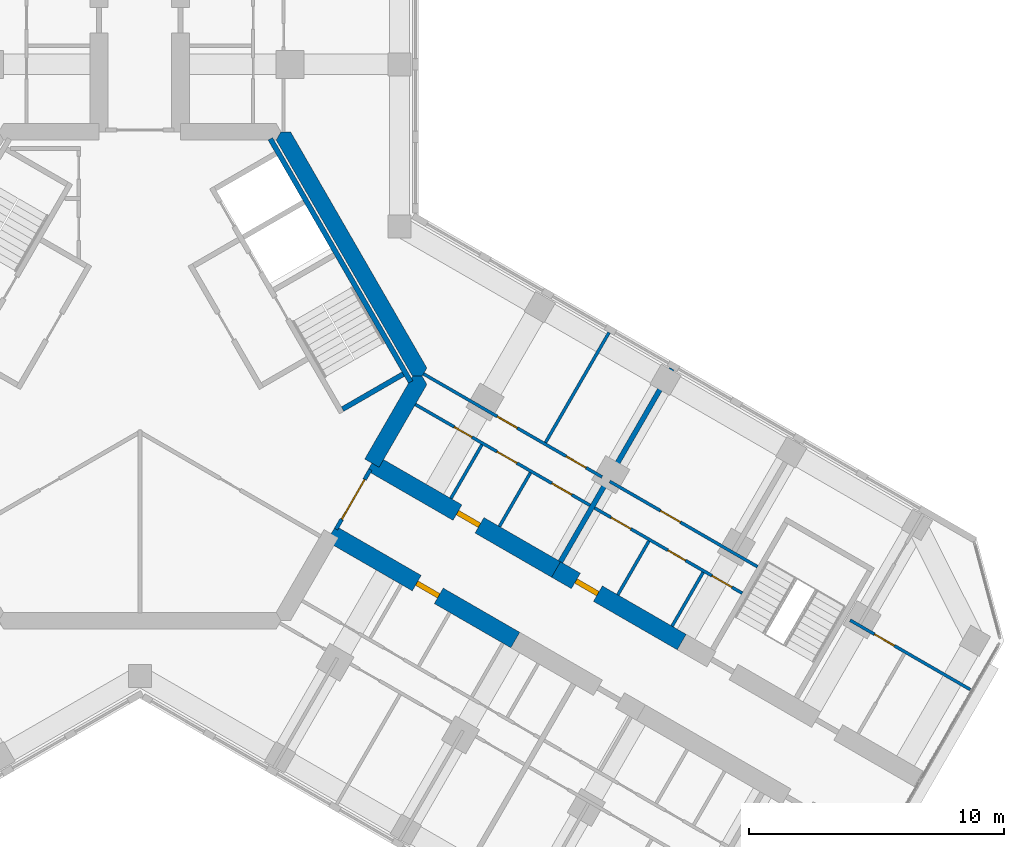
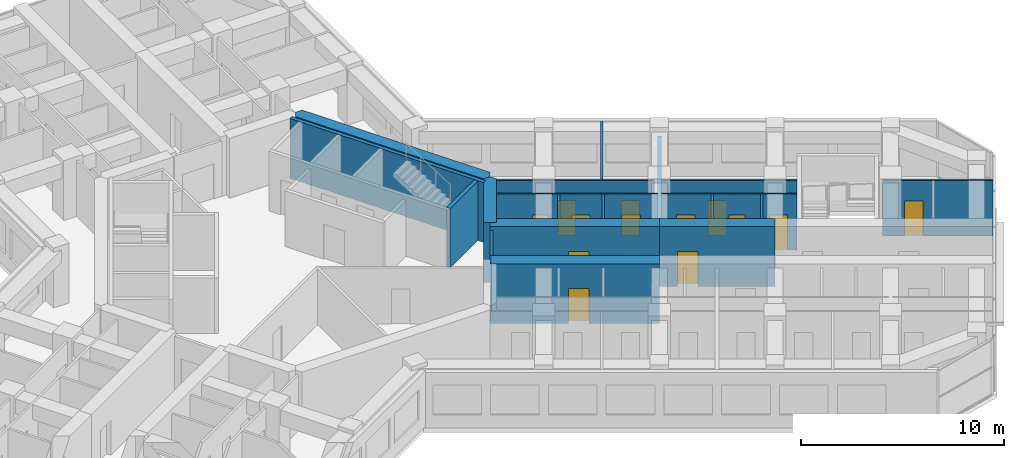
# One storey, part 12 of 16: 19 walls, 14 doors, 14 openings.
"""IFC4 building model written with IfcOpenShell, lengths in metres."""

from ifc_helpers import new_model, si_unit, direction, frame, frame_2d, origin, place, context, subcontext, project, spatial, polyline, rectangle, outline, extrude, material, layer, layer_set, type_object, element, fill, save


model = new_model("IFC4")

# Units and contexts
model_context = context("Model", 3, precision=1e-05, world=origin(), true_north=direction((0.0, 1.0)))
body_context = subcontext(model_context, "Body", "Model", "MODEL_VIEW")
ifc_project = project(units=[si_unit("LENGTHUNIT", "METRE"), si_unit("AREAUNIT", "SQUARE_METRE"), si_unit("VOLUMEUNIT", "CUBIC_METRE"), si_unit("PLANEANGLEUNIT", "RADIAN"), si_unit("MASSUNIT", "GRAM", prefix="KILO")], contexts=[model_context])

# Site, building, storey
site_placement = place(None, origin())
site = spatial("IfcSite", under=ifc_project, at=site_placement, CompositionType="ELEMENT")
building_placement = place(site_placement, origin())
building = spatial("IfcBuilding", under=site, at=building_placement, Name="Kosmar Iwan School Tower", CompositionType="ELEMENT")
storey_placement = place(building_placement, frame((0.0, 0.0, 211.800048828125)))
storey = spatial("IfcBuildingStorey", under=building, at=storey_placement, Name="L53", CompositionType="ELEMENT", Elevation=211.800048828125)

# Walls
ifc_material_1 = material(Name="Concrete C50/60", Category="concrete")
ifc_layer_1 = layer(ifc_material_1, 0.64990234375)
ifc_layer_set_1 = layer_set([ifc_layer_1], Name="Core wall 650")
wall_type_1 = type_object("IfcWallType", Name="Core wall 650", PredefinedType="SHEAR", material=ifc_layer_set_1)
wall_1_placement = place(storey_placement, origin())
element("IfcWall", 1, at=wall_1_placement, inside=storey, type_object=wall_type_1, Name="Core wall F030", PredefinedType="SHEAR", context=body_context, shape_type="SweptSolid", body=[
    extrude(outline(polyline([(10.7099609375, 0.0), (11.085205078125, 0.0), (11.272705078125, 0.324951171875), (5.917724609375, 9.60009765625), (5.54248046875, 9.60009765625), (5.35498046875, 9.27490234375), (10.7099609375, 0.0)])), origin(), (0.0, 0.0, 1.0), 3.599853515625),
])
wall_2_placement = place(storey_placement, origin())
element("IfcWall", 2, at=wall_2_placement, inside=storey, type_object=wall_type_1, Name="Core wall F330b", PredefinedType="SHEAR", context=body_context, shape_type="SweptSolid", body=[
    extrude(outline(polyline([(9.395263671875, -3.576904296875), (11.272705078125, -0.324951171875), (11.085205078125, 0.0), (10.7099609375, 0.0), (8.832275390625, -3.251953125), (9.395263671875, -3.576904296875)])), origin(), (0.0, 0.0, 1.0), 3.599853515625),
])

# Wall, opening, door
ifc_material_2 = material(Name="Concrete C50/60", Category="concrete")
ifc_layer_2 = layer(ifc_material_2, 0.699951171875)
ifc_layer_set_2 = layer_set([ifc_layer_2], Name="Corridor buttress wall 700")
wall_type_2 = type_object("IfcWallType", Name="Corridor buttress wall 700", PredefinedType="SHEAR", material=ifc_layer_set_2)
wall_3_placement = place(storey_placement, frame((9.11376953125, -3.414306640625, 0.0), z_axis=(0.0, 0.0, 1.0), x_axis=(0.866026859388, -0.499997478812, 0.0)))
wall_3 = element("IfcWall", 3, at=wall_3_placement, inside=storey, type_object=wall_type_2, Name="Corridor wall CL", PredefinedType="SHEAR", context=body_context, shape_type="SweptSolid", body=[
    extrude(rectangle(XDim=8.35009765625, YDim=0.699951171875, at=frame_2d((4.175048828125, 0.0))), origin(), (0.0, 0.0, 1.0), 3.599853515625),
])
opening_1_placement = place(wall_3_placement, frame((3.8798828125, 0.0, 0.0)))
opening_1 = element("IfcOpeningElement", 4, at=opening_1_placement, cuts=wall_3, Name="Opening D1", PredefinedType="OPENING", context=body_context, shape_type="SweptSolid", body=[
    extrude(rectangle(XDim=1.0, YDim=2.10009765625, at=frame_2d((0.5, 1.050048828125))), frame((0.0, 0.362060546875, 0.0), z_axis=(0.0, -1.0, 0.0), x_axis=(1.0, 0.0, 0.0)), (0.0, 0.0, 1.0), 0.723876953125),
])
ifc_material_3 = material(Name="Timber fire door in steel frame", Category="steel")
door_type_1 = type_object("IfcDoorType", Name="Flat entrance door 1000x2100", OperationType="SINGLE_SWING_LEFT", PredefinedType="DOOR", material=ifc_material_3)
door_1_placement = place(opening_1_placement, origin())
door_1 = element("IfcDoor", 5, at=door_1_placement, inside=storey, type_object=door_type_1, Name="Flat L53-CL1 entrance door", OperationType="SINGLE_SWING_LEFT", OverallHeight=2.10009765625, OverallWidth=1.0, PredefinedType="DOOR", context=body_context, shape_type="SweptSolid", body=[
    extrude(rectangle(XDim=1.0, YDim=2.10009765625, at=frame_2d((0.5, 1.050048828125))), frame((0.0, 0.10009765625, 0.0), z_axis=(0.0, -1.0, 0.0), x_axis=(1.0, 0.0, 0.0)), (0.0, 0.0, 1.0), 0.199951171875),
])
fill(opening_1, door_1)

wall_4_placement = place(storey_placement, frame((16.34521484375, -7.58935546875, 0.0), z_axis=(0.0, 0.0, 1.0), x_axis=(0.866015111908, -0.50001782563, 0.0)))
wall_4 = element("IfcWall", 6, at=wall_4_placement, inside=storey, type_object=wall_type_2, Name="Corridor wall CL bay 2", PredefinedType="SHEAR", context=body_context, shape_type="SweptSolid", body=[
    extrude(rectangle(XDim=5.699951171875, YDim=0.699951171875, at=frame_2d((2.85009765625, 0.0))), origin(), (0.0, 0.0, 1.0), 3.599853515625),
])
opening_2_placement = place(wall_4_placement, frame((0.89990234375, 0.0, 0.0)))
opening_2 = element("IfcOpeningElement", 7, at=opening_2_placement, cuts=wall_4, Name="Opening D1", PredefinedType="OPENING", context=body_context, shape_type="SweptSolid", body=[
    extrude(rectangle(XDim=1.0, YDim=2.10009765625, at=frame_2d((0.5, 1.050048828125))), frame((0.0, 0.362060546875, 0.0), z_axis=(0.0, -1.0, 0.0), x_axis=(1.0, 0.0, 0.0)), (0.0, 0.0, 1.0), 0.723876953125),
])
door_2_placement = place(opening_2_placement, origin())
door_2 = element("IfcDoor", 8, at=door_2_placement, inside=storey, type_object=door_type_1, Name="Flat L53-CL2 entrance door", OperationType="SINGLE_SWING_RIGHT", OverallHeight=2.10009765625, OverallWidth=1.0, PredefinedType="DOOR", context=body_context, shape_type="SweptSolid", body=[
    extrude(rectangle(XDim=1.0, YDim=2.10009765625, at=frame_2d((0.5, 1.050048828125))), frame((0.0, 0.10009765625, 0.0), z_axis=(0.0, -1.0, 0.0), x_axis=(1.0, 0.0, 0.0)), (0.0, 0.0, 1.0), 0.199951171875),
])
fill(opening_2, door_2)

wall_5_placement = place(storey_placement, frame((7.513916015625, -6.185546875, 0.0), z_axis=(0.0, 0.0, 1.0), x_axis=(0.866019549707, -0.500010139422, 0.0)))
wall_5 = element("IfcWall", 9, at=wall_5_placement, inside=storey, type_object=wall_type_2, Name="Corridor wall CR", PredefinedType="SHEAR", context=body_context, shape_type="SweptSolid", body=[
    extrude(rectangle(XDim=8.349853515625, YDim=0.699951171875, at=frame_2d((4.1748046875, 0.0))), origin(), (0.0, 0.0, 1.0), 3.599853515625),
])
opening_3_placement = place(wall_5_placement, frame((3.8798828125, 0.0, 0.0)))
opening_3 = element("IfcOpeningElement", 10, at=opening_3_placement, cuts=wall_5, Name="Opening D1", PredefinedType="OPENING", context=body_context, shape_type="SweptSolid", body=[
    extrude(rectangle(XDim=1.0, YDim=2.10009765625, at=frame_2d((0.5, 1.050048828125))), frame((0.0, 0.362060546875, 0.0), z_axis=(0.0, -1.0, 0.0), x_axis=(1.0, 0.0, 0.0)), (0.0, 0.0, 1.0), 0.723876953125),
])
door_3_placement = place(opening_3_placement, origin())
door_3 = element("IfcDoor", 11, at=door_3_placement, inside=storey, type_object=door_type_1, Name="Flat L53-CR1 entrance door", OperationType="SINGLE_SWING_RIGHT", OverallHeight=2.10009765625, OverallWidth=1.0, PredefinedType="DOOR", context=body_context, shape_type="SweptSolid", body=[
    extrude(rectangle(XDim=1.0, YDim=2.10009765625, at=frame_2d((0.5, 1.050048828125))), frame((0.0, 0.10009765625, 0.0), z_axis=(0.0, -1.0, 0.0), x_axis=(1.0, 0.0, 0.0)), (0.0, 0.0, 1.0), 0.199951171875),
])
fill(opening_3, door_3)

ifc_material_4 = material(Name="Steel framed glazed screen", Category="steel")
ifc_layer_3 = layer(ifc_material_4, 0.14990234375)
ifc_layer_set_3 = layer_set([ifc_layer_3], Name="Corridor screen wall 150")
wall_type_3 = type_object("IfcWallType", Name="Corridor screen wall 150", PredefinedType="PARTITIONING", material=ifc_layer_set_3)
wall_6_placement = place(storey_placement, frame((7.703857421875, -6.006591796875, 0.0), z_axis=(0.0, 0.0, 1.0), x_axis=(0.499980770555, 0.866036505625, 0.0)))
wall_6 = element("IfcWall", 12, at=wall_6_placement, inside=storey, type_object=wall_type_3, Name="Corridor screen C L53", PredefinedType="PARTITIONING", context=body_context, shape_type="SweptSolid", body=[
    extrude(rectangle(XDim=2.69970703125, YDim=0.14990234375, at=frame_2d((1.349853515625, 0.0))), origin(), (0.0, 0.0, 1.0), 3.349853515625),
])
opening_4_placement = place(wall_6_placement, frame((0.449951171875, 0.0, 0.0)))
opening_4 = element("IfcOpeningElement", 13, at=opening_4_placement, cuts=wall_6, Name="Opening D9", PredefinedType="OPENING", context=body_context, shape_type="SweptSolid", body=[
    extrude(rectangle(XDim=1.800048828125, YDim=2.10009765625, at=frame_2d((0.89990234375, 1.050048828125))), frame((0.0, 0.0869140625, 0.0), z_axis=(0.0, -1.0, 0.0), x_axis=(1.0, 0.0, 0.0)), (0.0, 0.0, 1.0), 0.173828125),
])
ifc_material_5 = material(Name="Steel framed glazed smoke door", Category="steel")
door_type_2 = type_object("IfcDoorType", Name="Corridor smoke door pair 1800x2100", OperationType="DOUBLE_DOOR_DOUBLE_SWING", PredefinedType="DOOR", material=ifc_material_5)
door_4_placement = place(opening_4_placement, origin())
door_4 = element("IfcDoor", 14, at=door_4_placement, inside=storey, type_object=door_type_2, Name="Corridor doors C L53", OperationType="DOUBLE_DOOR_DOUBLE_SWING", OverallHeight=2.10009765625, OverallWidth=1.800048828125, PredefinedType="DOOR", context=body_context, shape_type="SweptSolid", body=[
    extrude(rectangle(XDim=1.800048828125, YDim=2.10009765625, at=frame_2d((0.89990234375, 1.050048828125))), frame((0.0, 0.02490234375, 0.0), z_axis=(0.0, -1.0, 0.0), x_axis=(1.0, 0.0, 0.0)), (0.0, 0.0, 1.0), 0.050048828125),
])
fill(opening_4, door_4)

# Wall, openings, doors
ifc_material_6 = material(Name="Gypsum board on steel studs", Category="steel")
ifc_layer_4 = layer(ifc_material_6, 0.1201171875)
ifc_layer_set_4 = layer_set([ifc_layer_4], Name="Dwelling partition 120")
wall_type_4 = type_object("IfcWallType", Name="Dwelling partition 120", PredefinedType="PARTITIONING", material=ifc_layer_set_4)
wall_7_placement = place(storey_placement, frame((10.8203125, -1.108642578125, 0.0), z_axis=(0.0, 0.0, 1.0), x_axis=(0.866018344059, -0.500012227604, 0.0)))
wall_7 = element("IfcWall", 15, at=wall_7_placement, inside=storey, type_object=wall_type_4, Name="Partition L53-CL1-W1", PredefinedType="PARTITIONING", context=body_context, shape_type="SweptSolid", body=[
    extrude(rectangle(XDim=7.925048828125, YDim=0.1201171875, at=frame_2d((3.96240234375, 0.0))), origin(), (0.0, 0.0, 1.0), 3.349853515625),
])
opening_5_placement = place(wall_7_placement, frame((1.764892578125, 0.0, 0.0)))
opening_5 = element("IfcOpeningElement", 16, at=opening_5_placement, cuts=wall_7, Name="Opening D3", PredefinedType="OPENING", context=body_context, shape_type="SweptSolid", body=[
    extrude(rectangle(XDim=0.800048828125, YDim=2.10009765625, at=frame_2d((0.39990234375, 1.050048828125))), frame((0.0, 0.072021484375, 0.0), z_axis=(0.0, -1.0, 0.0), x_axis=(1.0, 0.0, 0.0)), (0.0, 0.0, 1.0), 0.14404296875),
])
opening_6_placement = place(wall_7_placement, frame((3.705078125, 0.0, 0.0)))
opening_6 = element("IfcOpeningElement", 17, at=opening_6_placement, cuts=wall_7, Name="Opening D2", PredefinedType="OPENING", context=body_context, shape_type="SweptSolid", body=[
    extrude(rectangle(XDim=0.89990234375, YDim=2.10009765625, at=frame_2d((0.449951171875, 1.050048828125))), frame((0.0, 0.072021484375, 0.0), z_axis=(0.0, -1.0, 0.0), x_axis=(1.0, 0.0, 0.0)), (0.0, 0.0, 1.0), 0.14404296875),
])
opening_7_placement = place(wall_7_placement, frame((6.18994140625, 0.0, 0.0)))
opening_7 = element("IfcOpeningElement", 18, at=opening_7_placement, cuts=wall_7, Name="Opening D2", PredefinedType="OPENING", context=body_context, shape_type="SweptSolid", body=[
    extrude(rectangle(XDim=0.89990234375, YDim=2.10009765625, at=frame_2d((0.449951171875, 1.050048828125))), frame((0.0, 0.072021484375, 0.0), z_axis=(0.0, -1.0, 0.0), x_axis=(1.0, 0.0, 0.0)), (0.0, 0.0, 1.0), 0.14404296875),
])
ifc_material_7 = material(Name="Timber door in timber frame", Category="wood")
door_type_3 = type_object("IfcDoorType", Name="Internal door 900x2100", OperationType="SINGLE_SWING_LEFT", PredefinedType="DOOR", material=ifc_material_7)
door_5_placement = place(opening_6_placement, origin())
door_5 = element("IfcDoor", 19, at=door_5_placement, inside=storey, type_object=door_type_3, Name="Entrance hall door L53-CL1-S2", OperationType="SINGLE_SWING_RIGHT", OverallHeight=2.10009765625, OverallWidth=0.89990234375, PredefinedType="DOOR", context=body_context, shape_type="SweptSolid", body=[
    extrude(rectangle(XDim=0.89990234375, YDim=2.10009765625, at=frame_2d((0.449951171875, 1.050048828125))), frame((0.0, 0.02490234375, 0.0), z_axis=(0.0, -1.0, 0.0), x_axis=(1.0, 0.0, 0.0)), (0.0, 0.0, 1.0), 0.050048828125),
])
fill(opening_6, door_5)
door_6_placement = place(opening_7_placement, origin())
door_6 = element("IfcDoor", 20, at=door_6_placement, inside=storey, type_object=door_type_3, Name="Pantry door L53-CL1-S3", OperationType="SINGLE_SWING_RIGHT", OverallHeight=2.10009765625, OverallWidth=0.89990234375, PredefinedType="DOOR", context=body_context, shape_type="SweptSolid", body=[
    extrude(rectangle(XDim=0.89990234375, YDim=2.10009765625, at=frame_2d((0.449951171875, 1.050048828125))), frame((0.0, 0.02490234375, 0.0), z_axis=(0.0, -1.0, 0.0), x_axis=(1.0, 0.0, 0.0)), (0.0, 0.0, 1.0), 0.050048828125),
])
fill(opening_7, door_6)
ifc_material_8 = material(Name="Timber door in timber frame", Category="wood")
door_type_4 = type_object("IfcDoorType", Name="Sanitary room door 800x2100", OperationType="SINGLE_SWING_LEFT", PredefinedType="DOOR", material=ifc_material_8)
door_7_placement = place(opening_5_placement, origin())
door_7 = element("IfcDoor", 21, at=door_7_placement, inside=storey, type_object=door_type_4, Name="Bathroom door L53-CL1-S1", OperationType="SINGLE_SWING_LEFT", OverallHeight=2.10009765625, OverallWidth=0.800048828125, PredefinedType="DOOR", context=body_context, shape_type="SweptSolid", body=[
    extrude(rectangle(XDim=0.800048828125, YDim=2.10009765625, at=frame_2d((0.39990234375, 1.050048828125))), frame((0.0, 0.02490234375, 0.0), z_axis=(0.0, -1.0, 0.0), x_axis=(1.0, 0.0, 0.0)), (0.0, 0.0, 1.0), 0.050048828125),
])
fill(opening_5, door_7)

wall_8_placement = place(storey_placement, frame((11.138916015625, 0.093017578125, 0.0), z_axis=(0.0, 0.0, 1.0), x_axis=(0.866017937352, -0.500012932018, 0.0)))
wall_8 = element("IfcWall", 22, at=wall_8_placement, inside=storey, type_object=wall_type_4, Name="Partition L53-CL1-W2", PredefinedType="PARTITIONING", context=body_context, shape_type="SweptSolid", body=[
    extrude(rectangle(XDim=8.099853515625, YDim=0.1201171875, at=frame_2d((4.0498046875, 0.0))), origin(), (0.0, 0.0, 1.0), 3.349853515625),
])
opening_8_placement = place(wall_8_placement, frame((3.35009765625, 0.0, 0.0)))
opening_8 = element("IfcOpeningElement", 23, at=opening_8_placement, cuts=wall_8, Name="Opening D2", PredefinedType="OPENING", context=body_context, shape_type="SweptSolid", body=[
    extrude(rectangle(XDim=0.89990234375, YDim=2.10009765625, at=frame_2d((0.449951171875, 1.050048828125))), frame((0.0, 0.072021484375, 0.0), z_axis=(0.0, -1.0, 0.0), x_axis=(1.0, 0.0, 0.0)), (0.0, 0.0, 1.0), 0.14404296875),
])
opening_9_placement = place(wall_8_placement, frame((6.47509765625, 0.0, 0.0)))
opening_9 = element("IfcOpeningElement", 24, at=opening_9_placement, cuts=wall_8, Name="Opening D2", PredefinedType="OPENING", context=body_context, shape_type="SweptSolid", body=[
    extrude(rectangle(XDim=0.89990234375, YDim=2.10009765625, at=frame_2d((0.449951171875, 1.050048828125))), frame((0.0, 0.072021484375, 0.0), z_axis=(0.0, -1.0, 0.0), x_axis=(1.0, 0.0, 0.0)), (0.0, 0.0, 1.0), 0.14404296875),
])
door_8_placement = place(opening_8_placement, origin())
door_8 = element("IfcDoor", 25, at=door_8_placement, inside=storey, type_object=door_type_3, Name="Living room and kitchen door L53-CL1-F1", OperationType="SINGLE_SWING_RIGHT", OverallHeight=2.10009765625, OverallWidth=0.89990234375, PredefinedType="DOOR", context=body_context, shape_type="SweptSolid", body=[
    extrude(rectangle(XDim=0.89990234375, YDim=2.10009765625, at=frame_2d((0.449951171875, 1.050048828125))), frame((0.0, 0.02490234375, 0.0), z_axis=(0.0, -1.0, 0.0), x_axis=(1.0, 0.0, 0.0)), (0.0, 0.0, 1.0), 0.050048828125),
])
fill(opening_8, door_8)
door_9_placement = place(opening_9_placement, origin())
door_9 = element("IfcDoor", 26, at=door_9_placement, inside=storey, type_object=door_type_3, Name="Bedroom 1 door L53-CL1-F2", OperationType="SINGLE_SWING_RIGHT", OverallHeight=2.10009765625, OverallWidth=0.89990234375, PredefinedType="DOOR", context=body_context, shape_type="SweptSolid", body=[
    extrude(rectangle(XDim=0.89990234375, YDim=2.10009765625, at=frame_2d((0.449951171875, 1.050048828125))), frame((0.0, 0.02490234375, 0.0), z_axis=(0.0, -1.0, 0.0), x_axis=(1.0, 0.0, 0.0)), (0.0, 0.0, 1.0), 0.050048828125),
])
fill(opening_9, door_9)

# Walls
wall_9_placement = place(storey_placement, frame((15.931884765625, -2.60498046875, 0.0), z_axis=(0.0, 0.0, 1.0), x_axis=(0.500011847778, 0.866018563358, 0.0)))
element("IfcWall", 27, at=wall_9_placement, inside=storey, type_object=wall_type_4, Name="Partition L53-CL1-X1", PredefinedType="PARTITIONING", context=body_context, shape_type="SweptSolid", body=[
    extrude(rectangle(XDim=4.990234375, YDim=0.1201171875, at=frame_2d((2.4951171875, 0.0))), origin(), (0.0, 0.0, 1.0), 3.349853515625),
])
wall_10_placement = place(storey_placement, frame((12.216064453125, -4.80126953125, 0.0), z_axis=(0.0, 0.0, 1.0), x_axis=(0.500002508028, 0.866023955769, 0.0)))
element("IfcWall", 28, at=wall_10_placement, inside=storey, type_object=wall_type_4, Name="Partition L53-CL1-Y1", PredefinedType="PARTITIONING", context=body_context, shape_type="SweptSolid", body=[
    extrude(rectangle(XDim=2.43994140625, YDim=0.1201171875, at=frame_2d((1.219970703125, 0.0))), origin(), (0.0, 0.0, 1.0), 3.349853515625),
])
wall_11_placement = place(storey_placement, frame((14.121337890625, -5.9013671875, 0.0), z_axis=(0.0, 0.0, 1.0), x_axis=(0.499959183527, 0.866048967903, 0.0)))
element("IfcWall", 29, at=wall_11_placement, inside=storey, type_object=wall_type_4, Name="Partition L53-CL1-Y2", PredefinedType="PARTITIONING", context=body_context, shape_type="SweptSolid", body=[
    extrude(rectangle(XDim=2.440185546875, YDim=0.1201171875, at=frame_2d((1.22021484375, 0.0))), origin(), (0.0, 0.0, 1.0), 3.349853515625),
])

# Wall, openings, doors
wall_12_placement = place(storey_placement, frame((17.856689453125, -5.171142578125, 0.0), z_axis=(0.0, 0.0, 1.0), x_axis=(0.866023571113, -0.500003174267, 0.0)))
wall_12 = element("IfcWall", 30, at=wall_12_placement, inside=storey, type_object=wall_type_4, Name="Partition L53-CL2-W1", PredefinedType="PARTITIONING", context=body_context, shape_type="SweptSolid", body=[
    extrude(rectangle(XDim=6.7001953125, YDim=0.1201171875, at=frame_2d((3.35009765625, 0.0))), origin(), (0.0, 0.0, 1.0), 3.349853515625),
])
opening_10_placement = place(wall_12_placement, frame((0.75, 0.0, 0.0)))
opening_10 = element("IfcOpeningElement", 31, at=opening_10_placement, cuts=wall_12, Name="Opening D2", PredefinedType="OPENING", context=body_context, shape_type="SweptSolid", body=[
    extrude(rectangle(XDim=0.89990234375, YDim=2.10009765625, at=frame_2d((0.449951171875, 1.050048828125))), frame((0.0, 0.072021484375, 0.0), z_axis=(0.0, -1.0, 0.0), x_axis=(1.0, 0.0, 0.0)), (0.0, 0.0, 1.0), 0.14404296875),
])
opening_11_placement = place(wall_12_placement, frame((3.330078125, 0.0, 0.0)))
opening_11 = element("IfcOpeningElement", 32, at=opening_11_placement, cuts=wall_12, Name="Opening D3", PredefinedType="OPENING", context=body_context, shape_type="SweptSolid", body=[
    extrude(rectangle(XDim=0.800048828125, YDim=2.10009765625, at=frame_2d((0.39990234375, 1.050048828125))), frame((0.0, 0.072021484375, 0.0), z_axis=(0.0, -1.0, 0.0), x_axis=(1.0, 0.0, 0.0)), (0.0, 0.0, 1.0), 0.14404296875),
])
opening_12_placement = place(wall_12_placement, frame((5.330078125, 0.0, 0.0)))
opening_12 = element("IfcOpeningElement", 33, at=opening_12_placement, cuts=wall_12, Name="Opening D2", PredefinedType="OPENING", context=body_context, shape_type="SweptSolid", body=[
    extrude(rectangle(XDim=0.89990234375, YDim=2.10009765625, at=frame_2d((0.449951171875, 1.050048828125))), frame((0.0, 0.072021484375, 0.0), z_axis=(0.0, -1.0, 0.0), x_axis=(1.0, 0.0, 0.0)), (0.0, 0.0, 1.0), 0.14404296875),
])
door_10_placement = place(opening_10_placement, origin())
door_10 = element("IfcDoor", 34, at=door_10_placement, inside=storey, type_object=door_type_3, Name="Entrance hall door L53-CL2-S1", OperationType="SINGLE_SWING_LEFT", OverallHeight=2.10009765625, OverallWidth=0.89990234375, PredefinedType="DOOR", context=body_context, shape_type="SweptSolid", body=[
    extrude(rectangle(XDim=0.89990234375, YDim=2.10009765625, at=frame_2d((0.449951171875, 1.050048828125))), frame((0.0, 0.02490234375, 0.0), z_axis=(0.0, -1.0, 0.0), x_axis=(1.0, 0.0, 0.0)), (0.0, 0.0, 1.0), 0.050048828125),
])
fill(opening_10, door_10)
door_11_placement = place(opening_12_placement, frame((0.89990234375, 0.0, 0.0), z_axis=(0.0, 0.0, 1.0), x_axis=(-1.0, 0.0, 0.0)))
door_11 = element("IfcDoor", 35, at=door_11_placement, inside=storey, type_object=door_type_3, Name="Pantry door L53-CL2-S3", OperationType="SINGLE_SWING_LEFT", OverallHeight=2.10009765625, OverallWidth=0.89990234375, PredefinedType="DOOR", context=body_context, shape_type="SweptSolid", body=[
    extrude(rectangle(XDim=0.89990234375, YDim=2.10009765625, at=frame_2d((0.449951171875, 1.050048828125))), frame((0.0, 0.02490234375, 0.0), z_axis=(0.0, -1.0, 0.0), x_axis=(1.0, 0.0, 0.0)), (0.0, 0.0, 1.0), 0.050048828125),
])
fill(opening_12, door_11)
door_12_placement = place(opening_11_placement, origin())
door_12 = element("IfcDoor", 36, at=door_12_placement, inside=storey, type_object=door_type_4, Name="Bathroom door L53-CL2-S2", OperationType="SINGLE_SWING_RIGHT", OverallHeight=2.10009765625, OverallWidth=0.800048828125, PredefinedType="DOOR", context=body_context, shape_type="SweptSolid", body=[
    extrude(rectangle(XDim=0.800048828125, YDim=2.10009765625, at=frame_2d((0.39990234375, 1.050048828125))), frame((0.0, 0.02490234375, 0.0), z_axis=(0.0, -1.0, 0.0), x_axis=(1.0, 0.0, 0.0)), (0.0, 0.0, 1.0), 0.050048828125),
])
fill(opening_11, door_12)

# Wall, opening, door
wall_13_placement = place(storey_placement, frame((18.456787109375, -4.1318359375, 0.0), z_axis=(0.0, 0.0, 1.0), x_axis=(0.866014461049, -0.500018952895, 0.0)))
wall_13 = element("IfcWall", 37, at=wall_13_placement, inside=storey, type_object=wall_type_4, Name="Partition L53-CL2-W2", PredefinedType="PARTITIONING", context=body_context, shape_type="SweptSolid", body=[
    extrude(rectangle(XDim=6.699951171875, YDim=0.1201171875, at=frame_2d((3.35009765625, 0.0))), origin(), (0.0, 0.0, 1.0), 3.349853515625),
])
opening_13_placement = place(wall_13_placement, frame((2.300048828125, 0.0, 0.0)))
opening_13 = element("IfcOpeningElement", 38, at=opening_13_placement, cuts=wall_13, Name="Opening D2", PredefinedType="OPENING", context=body_context, shape_type="SweptSolid", body=[
    extrude(rectangle(XDim=0.89990234375, YDim=2.10009765625, at=frame_2d((0.449951171875, 1.050048828125))), frame((0.0, 0.072021484375, 0.0), z_axis=(0.0, -1.0, 0.0), x_axis=(1.0, 0.0, 0.0)), (0.0, 0.0, 1.0), 0.14404296875),
])
door_13_placement = place(opening_13_placement, origin())
door_13 = element("IfcDoor", 39, at=door_13_placement, inside=storey, type_object=door_type_3, Name="Studio living room and kitchen door L53-CL2-F1", OperationType="SINGLE_SWING_LEFT", OverallHeight=2.10009765625, OverallWidth=0.89990234375, PredefinedType="DOOR", context=body_context, shape_type="SweptSolid", body=[
    extrude(rectangle(XDim=0.89990234375, YDim=2.10009765625, at=frame_2d((0.449951171875, 1.050048828125))), frame((0.0, 0.02490234375, 0.0), z_axis=(0.0, -1.0, 0.0), x_axis=(1.0, 0.0, 0.0)), (0.0, 0.0, 1.0), 0.050048828125),
])
fill(opening_13, door_13)

# Walls
for number, where, z_axis, x_axis, name in (
    (40, (18.771728515625, -8.586181640625, 0.0), (0.0, 0.0, 1.0), (0.500077547548, 0.865980627057, 0.0), "Partition L53-CL2-Y1"),
    (41, (20.90234375, -9.816162109375, 0.0), (0.0, 0.0, 1.0), (0.500002508028, 0.866023955769, 0.0), "Partition L53-CL2-Y2"),
):
    element("IfcWall", number, at=place(storey_placement, frame(where, z_axis=z_axis, x_axis=x_axis)), inside=storey, type_object=wall_type_4, Name=name, PredefinedType="PARTITIONING", context=body_context, shape_type="SweptSolid", body=[
        extrude(rectangle(XDim=2.43994140625, YDim=0.1201171875, at=frame_2d((1.219970703125, 0.0))), origin(), (0.0, 0.0, 1.0), 3.349853515625),
    ])

# Wall, opening, door
wall_14_placement = place(storey_placement, frame((27.896484375, -9.58203125, 0.0), z_axis=(0.0, 0.0, 1.0), x_axis=(0.866035508231, -0.499982498177, 0.0)))
wall_14 = element("IfcWall", 42, at=wall_14_placement, inside=storey, type_object=wall_type_4, Name="Partition L53-CL3-TW", PredefinedType="PARTITIONING", context=body_context, shape_type="SweptSolid", body=[
    extrude(rectangle(XDim=5.445068359375, YDim=0.1201171875, at=frame_2d((2.72265625, 0.0))), origin(), (0.0, 0.0, 1.0), 3.349853515625),
])
opening_14_placement = place(wall_14_placement, frame((1.10009765625, 0.0, 0.0)))
opening_14 = element("IfcOpeningElement", 43, at=opening_14_placement, cuts=wall_14, Name="Opening D2", PredefinedType="OPENING", context=body_context, shape_type="SweptSolid", body=[
    extrude(rectangle(XDim=0.89990234375, YDim=2.10009765625, at=frame_2d((0.449951171875, 1.050048828125))), frame((0.0, 0.072021484375, 0.0), z_axis=(0.0, -1.0, 0.0), x_axis=(1.0, 0.0, 0.0)), (0.0, 0.0, 1.0), 0.14404296875),
])
door_14_placement = place(opening_14_placement, origin())
door_14 = element("IfcDoor", 44, at=door_14_placement, inside=storey, type_object=door_type_3, Name="Entrance hall door L53-CL3-T3", OperationType="SINGLE_SWING_LEFT", OverallHeight=2.10009765625, OverallWidth=0.89990234375, PredefinedType="DOOR", context=body_context, shape_type="SweptSolid", body=[
    extrude(rectangle(XDim=0.89990234375, YDim=2.10009765625, at=frame_2d((0.449951171875, 1.050048828125))), frame((0.0, 0.02490234375, 0.0), z_axis=(0.0, -1.0, 0.0), x_axis=(1.0, 0.0, 0.0)), (0.0, 0.0, 1.0), 0.050048828125),
])
fill(opening_14, door_14)

# Walls
ifc_material_9 = material(Name="Concrete C50/60", Category="concrete")
ifc_layer_5 = layer(ifc_material_9, 0.199951171875)
ifc_layer_set_5 = layer_set([ifc_layer_5], Name="Lift shaft wall 200")
wall_type_5 = type_object("IfcWallType", Name="Lift shaft wall 200", PredefinedType="SHEAR", material=ifc_layer_set_5)
wall_15_placement = place(storey_placement, frame((10.6376953125, -0.22509765625, 0.0), z_axis=(0.0, 0.0, 1.0), x_axis=(-0.49999650507, 0.866027421574, 0.0)))
element("IfcWall", 45, at=wall_15_placement, inside=storey, type_object=wall_type_5, Name="Lift and stair back wall AC", PredefinedType="SHEAR", context=body_context, shape_type="SweptSolid", body=[
    extrude(rectangle(XDim=11.02734375, YDim=0.199951171875, at=frame_2d((5.513671875, 0.0))), origin(), (0.0, 0.0, 1.0), 3.599853515625),
])
ifc_material_10 = material(Name="Concrete block masonry", Category="masonry")
ifc_layer_6 = layer(ifc_material_10, 0.199951171875)
ifc_layer_set_6 = layer_set([ifc_layer_6], Name="Party wall 200")
wall_type_6 = type_object("IfcWallType", Name="Party wall 200", PredefinedType="PARTITIONING", material=ifc_layer_set_6)
wall_16_placement = place(storey_placement, frame((16.520263671875, -7.286376953125, 0.0), z_axis=(0.0, 0.0, 1.0), x_axis=(0.499992152613, 0.866029934428, 0.0)))
element("IfcWall", 46, at=wall_16_placement, inside=storey, type_object=wall_type_6, Name="Partition L53-CL2-PW", PredefinedType="PARTITIONING", context=body_context, shape_type="SweptSolid", body=[
    extrude(rectangle(XDim=8.750244140625, YDim=0.199951171875, at=frame_2d((4.375, 0.0))), origin(), (0.0, 0.0, 1.0), 2.449951171875),
])
ifc_material_11 = material(Name="Concrete C50/60", Category="concrete")
ifc_layer_7 = layer(ifc_material_11, 0.199951171875)
ifc_layer_set_7 = layer_set([ifc_layer_7], Name="Stair enclosure wall 200")
wall_type_7 = type_object("IfcWallType", Name="Stair enclosure wall 200", PredefinedType="SHEAR", material=ifc_layer_set_7)
wall_17_placement = place(storey_placement, frame((7.962646484375, -1.291748046875, 0.0), z_axis=(0.0, 0.0, 1.0), x_axis=(0.866027397988, 0.499996545922, 0.0)))
element("IfcWall", 47, at=wall_17_placement, inside=storey, type_object=wall_type_7, Name="Stair ST1 wall", PredefinedType="SHEAR", context=body_context, shape_type="SweptSolid", body=[
    extrude(rectangle(XDim=2.75, YDim=0.199951171875, at=frame_2d((1.375, 0.0))), origin(), (0.0, 0.0, 1.0), 3.599853515625),
])

save(model, "model.ifc")
